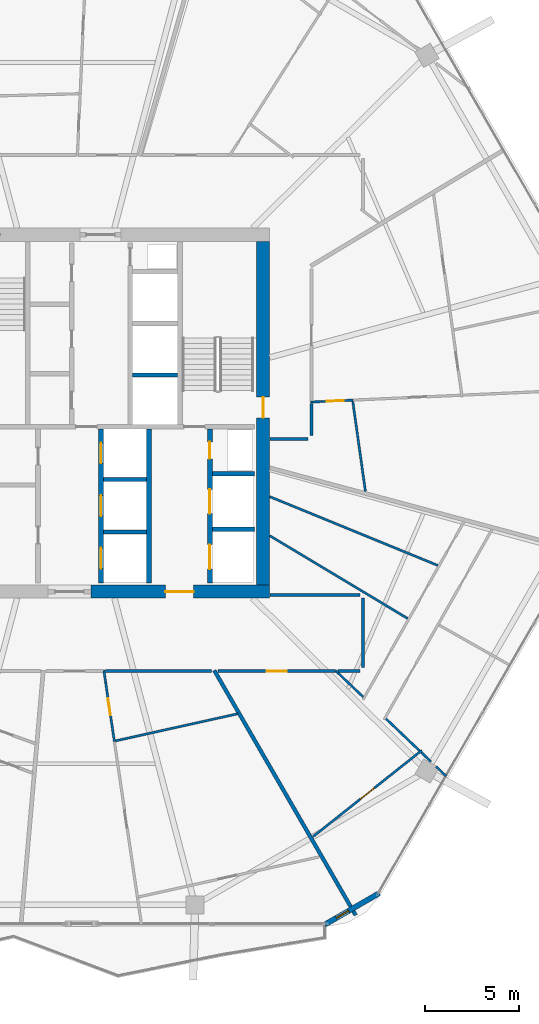
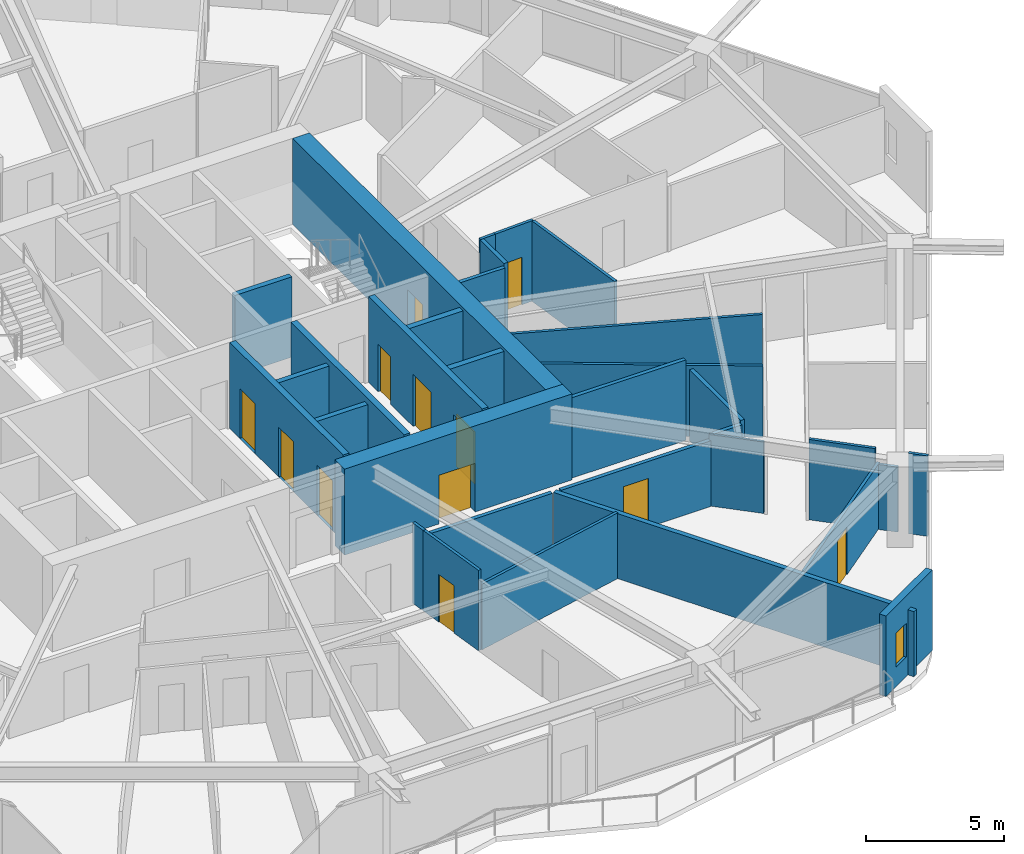
# One storey, part 20 of 25: 32 walls, 12 doors, 1 window, 13 openings.
"""IFC4 building model written with IfcOpenShell, lengths in metres."""

from ifc_helpers import new_model, si_unit, direction, frame, frame_2d, origin, place, context, subcontext, project, spatial, rectangle, extrude, material, layer, layer_set, type_object, element, fill, save


model = new_model("IFC4")

# Units and contexts
model_context = context("Model", 3, precision=1e-05, world=origin(), true_north=direction((0.0, 1.0)))
body_context = subcontext(model_context, "Body", "Model", "MODEL_VIEW")
ifc_project = project(units=[si_unit("LENGTHUNIT", "METRE"), si_unit("AREAUNIT", "SQUARE_METRE"), si_unit("VOLUMEUNIT", "CUBIC_METRE"), si_unit("PLANEANGLEUNIT", "RADIAN"), si_unit("MASSUNIT", "GRAM", prefix="KILO")], contexts=[model_context])

# Site, building, storey
site_placement = place(None, origin())
site = spatial("IfcSite", under=ifc_project, at=site_placement, CompositionType="ELEMENT")
building_placement = place(site_placement, origin())
building = spatial("IfcBuilding", under=site, at=building_placement, Name="Zuhravey Tower", CompositionType="ELEMENT")
storey_placement = place(building_placement, frame((0.0, 0.0, 196.0)))
storey = spatial("IfcBuildingStorey", under=building, at=storey_placement, Name="L49", CompositionType="ELEMENT", Elevation=196.0)

# Wall, opening, door
ifc_material_1 = material(Name="Concrete C60/75", Category="concrete")
ifc_layer_1 = layer(ifc_material_1, 0.699951171875)
ifc_layer_set_1 = layer_set([ifc_layer_1], Name="Concrete C60/75")
wall_type_1 = type_object("IfcWallType", Name="Core Shear Wall 700", PredefinedType="SHEAR", material=ifc_layer_set_1)
wall_1_placement = place(storey_placement, frame((37.35009765625, 22.5, 0.0), z_axis=(0.0, 0.0, 1.0), x_axis=(1.0, 0.0, 0.0)))
wall_1 = element("IfcWall", 1, at=wall_1_placement, inside=storey, type_object=wall_type_1, Name="L49 South-East Core Shear Wall CW70", PredefinedType="SHEAR", context=body_context, shape_type="SweptSolid", body=[
    extrude(rectangle(XDim=9.5, YDim=0.699951171875, at=frame_2d((4.75, 0.0))), origin(), (0.0, 0.0, 1.0), 3.800048828125),
])
opening_1_placement = place(wall_1_placement, frame((3.949951171875, 0.0, 0.0)))
opening_1 = element("IfcOpeningElement", 2, at=opening_1_placement, cuts=wall_1, Name="Opening FFD1", PredefinedType="OPENING", context=body_context, shape_type="SweptSolid", body=[
    extrude(rectangle(XDim=1.5, YDim=2.14990234375, at=frame_2d((0.75, 1.074951171875))), frame((0.0, 0.362060546875, 0.0), z_axis=(0.0, -1.0, 0.0), x_axis=(1.0, 0.0, 0.0)), (0.0, 0.0, 1.0), 0.723876953125),
])
ifc_material_2 = material(Name="Galvanised fire-rated steel leaf", Category="steel")
door_type_1 = type_object("IfcDoorType", Name="Firefighting Lobby Double Door 1500x2150", OperationType="DOUBLE_DOOR_SINGLE_SWING", PredefinedType="DOOR", material=ifc_material_2)
door_1_placement = place(opening_1_placement, origin())
door_1 = element("IfcDoor", 3, at=door_1_placement, inside=storey, type_object=door_type_1, Name="L49 Firefighting Lobby East Door", OperationType="DOUBLE_DOOR_SINGLE_SWING", OverallHeight=2.14990234375, OverallWidth=1.5, PredefinedType="DOOR", context=body_context, shape_type="SweptSolid", body=[
    extrude(rectangle(XDim=1.5, YDim=2.14990234375, at=frame_2d((0.75, 1.074951171875))), frame((0.0, 0.02490234375, 0.0), z_axis=(0.0, -1.0, 0.0), x_axis=(1.0, 0.0, 0.0)), (0.0, 0.0, 1.0), 0.050048828125),
])
fill(opening_1, door_1)

wall_2_placement = place(storey_placement, frame((46.5, 22.85009765625, 0.0), z_axis=(0.0, 0.0, 1.0), x_axis=(0.0, 1.0, 0.0)))
wall_2 = element("IfcWall", 4, at=wall_2_placement, inside=storey, type_object=wall_type_1, Name="L49 East Core Shear Wall CW70", PredefinedType="SHEAR", context=body_context, shape_type="SweptSolid", body=[
    extrude(rectangle(XDim=18.2998046875, YDim=0.699951171875, at=frame_2d((9.14990234375, 0.0))), origin(), (0.0, 0.0, 1.0), 3.800048828125),
])
opening_2_placement = place(wall_2_placement, frame((8.89990234375, 0.0, 0.0)))
opening_2 = element("IfcOpeningElement", 5, at=opening_2_placement, cuts=wall_2, Name="Opening STD1", PredefinedType="OPENING", context=body_context, shape_type="SweptSolid", body=[
    extrude(rectangle(XDim=1.10009765625, YDim=2.14990234375, at=frame_2d((0.550048828125, 1.074951171875))), frame((0.0, 0.362060546875, 0.0), z_axis=(0.0, -1.0, 0.0), x_axis=(1.0, 0.0, 0.0)), (0.0, 0.0, 1.0), 0.723876953125),
])
door_type_2 = type_object("IfcDoorType", Name="Protected Stair Fire Door 1100x2150", OperationType="NOTDEFINED", PredefinedType="USERDEFINED", material=ifc_material_2)
door_2_placement = place(opening_2_placement, origin())
door_2 = element("IfcDoor", 6, at=door_2_placement, inside=storey, type_object=door_type_2, Name="L49 Stair ST2 Door", ObjectType="EXITDOOR", OperationType="SINGLE_SWING_LEFT", OverallHeight=2.14990234375, OverallWidth=1.10009765625, PredefinedType="USERDEFINED", context=body_context, shape_type="SweptSolid", body=[
    extrude(rectangle(XDim=1.10009765625, YDim=2.14990234375, at=frame_2d((0.550048828125, 1.074951171875))), frame((0.0, 0.02490234375, 0.0), z_axis=(0.0, -1.0, 0.0), x_axis=(1.0, 0.0, 0.0)), (0.0, 0.0, 1.0), 0.050048828125),
])
fill(opening_2, door_2)

ifc_material_3 = material(Name="Gypsum fire-rated stud partition")
ifc_layer_2 = layer(ifc_material_3, 0.159912109375)
ifc_layer_set_2 = layer_set([ifc_layer_2], Name="Gypsum fire-rated stud partition")
wall_type_2 = type_object("IfcWallType", Name="Corridor Fire Partition 160", PredefinedType="PARTITIONING", material=ifc_layer_set_2)
wall_3_placement = place(storey_placement, frame((44.11083984375, 18.27001953125, 0.0), z_axis=(0.0, 0.0, 1.0), x_axis=(1.0, 0.0, 0.0)))
wall_3 = element("IfcWall", 7, at=wall_3_placement, inside=storey, type_object=wall_type_2, Name="L49 IW16 Partition 050", PredefinedType="PARTITIONING", context=body_context, shape_type="SweptSolid", body=[
    extrude(rectangle(XDim=6.248046875, YDim=0.159912109375, at=frame_2d((3.1240234375, 0.0))), origin(), (0.0, 0.0, 1.0), 2.89990234375),
])
opening_3_placement = place(wall_3_placement, frame((2.59912109375, 0.0, 0.0)))
opening_3 = element("IfcOpeningElement", 8, at=opening_3_placement, cuts=wall_3, Name="Opening APD1", PredefinedType="OPENING", context=body_context, shape_type="SweptSolid", body=[
    extrude(rectangle(XDim=1.050048828125, YDim=2.14990234375, at=frame_2d((0.52490234375, 1.074951171875))), frame((0.0, 0.092041015625, 0.0), z_axis=(0.0, -1.0, 0.0), x_axis=(1.0, 0.0, 0.0)), (0.0, 0.0, 1.0), 0.183837890625),
])
ifc_material_4 = material(Name="Solid-core oak fire-rated leaf")
door_type_3 = type_object("IfcDoorType", Name="Apartment Entrance Fire Door 1050x2150", OperationType="NOTDEFINED", PredefinedType="DOOR", material=ifc_material_4)
door_3_placement = place(opening_3_placement, frame((1.050048828125, 0.0, 0.0), z_axis=(0.0, 0.0, 1.0), x_axis=(-1.0, 0.0, 0.0)))
door_3 = element("IfcDoor", 9, at=door_3_placement, inside=storey, type_object=door_type_3, Name="L49 Door 050.1", OperationType="SINGLE_SWING_RIGHT", OverallHeight=2.14990234375, OverallWidth=1.050048828125, PredefinedType="DOOR", context=body_context, shape_type="SweptSolid", body=[
    extrude(rectangle(XDim=1.050048828125, YDim=2.14990234375, at=frame_2d((0.52490234375, 1.074951171875))), frame((0.0, 0.02490234375, 0.0), z_axis=(0.0, -1.0, 0.0), x_axis=(1.0, 0.0, 0.0)), (0.0, 0.0, 1.0), 0.050048828125),
])
fill(opening_3, door_3)

# Walls
wall_4_placement = place(storey_placement, frame((38.10107421875, 18.27001953125, 0.0), z_axis=(0.0, 0.0, 1.0), x_axis=(1.0, 0.0, 0.0)))
element("IfcWall", 10, at=wall_4_placement, inside=storey, type_object=wall_type_2, Name="L49 IW16 Partition 134", PredefinedType="PARTITIONING", context=body_context, shape_type="SweptSolid", body=[
    extrude(rectangle(XDim=5.64404296875, YDim=0.159912109375, at=frame_2d((2.822021484375, 0.0))), origin(), (0.0, 0.0, 1.0), 2.89990234375),
])
wall_5_placement = place(storey_placement, frame((51.64990234375, 22.330078125, 0.0), z_axis=(0.0, 0.0, 1.0), x_axis=(-1.0, 0.0, 0.0)))
element("IfcWall", 11, at=wall_5_placement, inside=storey, type_object=wall_type_2, Name="L49 IW16 Partition 135", PredefinedType="PARTITIONING", context=body_context, shape_type="SweptSolid", body=[
    extrude(rectangle(XDim=4.77978515625, YDim=0.159912109375, at=frame_2d((2.389892578125, 0.0))), origin(), (0.0, 0.0, 1.0), 3.550048828125),
])
wall_6_placement = place(storey_placement, frame((51.830078125, 18.449951171875, 0.0), z_axis=(0.0, 0.0, 1.0), x_axis=(0.0, 1.0, 0.0)))
element("IfcWall", 12, at=wall_6_placement, inside=storey, type_object=wall_type_2, Name="L49 IW16 Partition 136", PredefinedType="PARTITIONING", context=body_context, shape_type="SweptSolid", body=[
    extrude(rectangle(XDim=3.699951171875, YDim=0.159912109375, at=frame_2d((1.85009765625, 0.0))), origin(), (0.0, 0.0, 1.0), 3.14990234375),
])
wall_7_placement = place(storey_placement, frame((50.486083984375, 18.27001953125, 0.0), z_axis=(0.0, 0.0, 1.0), x_axis=(1.0, 0.0, 0.0)))
element("IfcWall", 13, at=wall_7_placement, inside=storey, type_object=wall_type_2, Name="L49 IW16 Partition 137", PredefinedType="PARTITIONING", context=body_context, shape_type="SweptSolid", body=[
    extrude(rectangle(XDim=1.163818359375, YDim=0.159912109375, at=frame_2d((0.58203125, 0.0))), origin(), (0.0, 0.0, 1.0), 3.14990234375),
])
wall_8_placement = place(storey_placement, frame((46.8701171875, 30.6201171875, 0.0), z_axis=(0.0, 0.0, 1.0), x_axis=(1.0, 0.0, 0.0)))
element("IfcWall", 14, at=wall_8_placement, inside=storey, type_object=wall_type_2, Name="L49 IW16 Partition 138", PredefinedType="PARTITIONING", context=body_context, shape_type="SweptSolid", body=[
    extrude(rectangle(XDim=2.02978515625, YDim=0.159912109375, at=frame_2d((1.014892578125, 0.0))), origin(), (0.0, 0.0, 1.0), 3.550048828125),
])
wall_9_placement = place(storey_placement, frame((49.080078125, 30.800048828125, 0.0), z_axis=(0.0, 0.0, 1.0), x_axis=(0.0, 1.0, 0.0)))
element("IfcWall", 15, at=wall_9_placement, inside=storey, type_object=wall_type_2, Name="L49 IW16 Partition 139", PredefinedType="PARTITIONING", context=body_context, shape_type="SweptSolid", body=[
    extrude(rectangle(XDim=1.725830078125, YDim=0.159912109375, at=frame_2d((0.86279296875, 0.0))), origin(), (0.0, 0.0, 1.0), 3.550048828125),
])

# Wall, opening, window
ifc_material_5 = material(Name="Precast concrete C40/50", Category="concrete")
ifc_layer_3 = layer(ifc_material_5, 0.280029296875)
ifc_layer_set_3 = layer_set([ifc_layer_3], Name="Precast concrete C40/50")
wall_type_3 = type_object("IfcWallType", Name="Crown Architectural Wall 280", PredefinedType="SOLIDWALL", material=ifc_layer_set_3)
wall_10_placement = place(storey_placement, frame((52.693115234375, 6.451904296875, 0.0), z_axis=(0.0, 0.0, 1.0), x_axis=(-0.866020068361, -0.500009241111, 0.0)))
wall_10 = element("IfcWall", 16, at=wall_10_placement, inside=storey, type_object=wall_type_3, Name="L49 Rounded Corner Closure Wall EW28-02", PredefinedType="SOLIDWALL", context=body_context, shape_type="SweptSolid", body=[
    extrude(rectangle(XDim=3.365234375, YDim=0.280029296875, at=frame_2d((1.6826171875, 0.0))), origin(), (0.0, 0.0, 1.0), 3.550048828125),
])
opening_4_placement = place(wall_10_placement, frame((1.896240234375, 0.0, 0.85009765625)))
opening_4 = element("IfcOpeningElement", 17, at=opening_4_placement, cuts=wall_10, Name="Opening WN5", PredefinedType="OPENING", context=body_context, shape_type="SweptSolid", body=[
    extrude(rectangle(XDim=0.75, YDim=1.5, at=frame_2d((0.375, 0.75))), frame((0.0, 0.152099609375, 0.0), z_axis=(0.0, -1.0, 0.0), x_axis=(1.0, 0.0, 0.0)), (0.0, 0.0, 1.0), 0.303955078125),
])
ifc_material_6 = material(Name="Thermally broken aluminium and triple low-E glass", Category="aluminium")
window_type = type_object("IfcWindowType", Name="Residential Corner Casement Window 750x1500", PartitioningType="SINGLE_PANEL", PredefinedType="WINDOW", material=ifc_material_6)
window_placement = place(opening_4_placement, origin())
window = element("IfcWindow", 18, at=window_placement, inside=storey, type_object=window_type, Name="L49 Corner Casement Window WN5-02.1", OverallHeight=1.5, OverallWidth=0.75, PartitioningType="SINGLE_PANEL", PredefinedType="WINDOW", context=body_context, shape_type="SweptSolid", body=[
    extrude(rectangle(XDim=0.75, YDim=1.5, at=frame_2d((0.375, 0.75))), frame((0.0, 0.030029296875, 0.0), z_axis=(0.0, -1.0, 0.0), x_axis=(1.0, 0.0, 0.0)), (0.0, 0.0, 1.0), 0.06005859375),
])
fill(opening_4, window)

# Wall, openings, doors
ifc_material_7 = material(Name="Concrete C50/60", Category="concrete")
ifc_layer_4 = layer(ifc_material_7, 0.25)
ifc_layer_set_4 = layer_set([ifc_layer_4], Name="Concrete C50/60")
wall_type_4 = type_object("IfcWallType", Name="Firefighting Shaft & Stair Wall 250", PredefinedType="SOLIDWALL", material=ifc_layer_set_4)
wall_11_placement = place(storey_placement, frame((37.875, 22.949951171875, 0.0), z_axis=(0.0, 0.0, 1.0), x_axis=(0.0, 1.0, 0.0)))
wall_11 = element("IfcWall", 19, at=wall_11_placement, inside=storey, type_object=wall_type_4, Name="L49 FW25 Shaft Wall 014", PredefinedType="SOLIDWALL", context=body_context, shape_type="SweptSolid", body=[
    extrude(rectangle(XDim=8.199951171875, YDim=0.25, at=frame_2d((4.10009765625, 0.0))), origin(), (0.0, 0.0, 1.0), 3.800048828125),
])
opening_5_placement = place(wall_11_placement, frame((0.77490234375, 0.0, 0.0)))
opening_5 = element("IfcOpeningElement", 20, at=opening_5_placement, cuts=wall_11, Name="Opening LD1", PredefinedType="OPENING", context=body_context, shape_type="SweptSolid", body=[
    extrude(rectangle(XDim=1.10009765625, YDim=2.199951171875, at=frame_2d((0.550048828125, 1.10009765625))), frame((0.0, 0.136962890625, 0.0), z_axis=(0.0, -1.0, 0.0), x_axis=(1.0, 0.0, 0.0)), (0.0, 0.0, 1.0), 0.27392578125),
])
opening_6_placement = place(wall_11_placement, frame((3.574951171875, 0.0, 0.0)))
opening_6 = element("IfcOpeningElement", 21, at=opening_6_placement, cuts=wall_11, Name="Opening LD1", PredefinedType="OPENING", context=body_context, shape_type="SweptSolid", body=[
    extrude(rectangle(XDim=1.10009765625, YDim=2.199951171875, at=frame_2d((0.550048828125, 1.10009765625))), frame((0.0, 0.136962890625, 0.0), z_axis=(0.0, -1.0, 0.0), x_axis=(1.0, 0.0, 0.0)), (0.0, 0.0, 1.0), 0.27392578125),
])
opening_7_placement = place(wall_11_placement, frame((6.375, 0.0, 0.0)))
opening_7 = element("IfcOpeningElement", 22, at=opening_7_placement, cuts=wall_11, Name="Opening LD1", PredefinedType="OPENING", context=body_context, shape_type="SweptSolid", body=[
    extrude(rectangle(XDim=1.10009765625, YDim=2.199951171875, at=frame_2d((0.550048828125, 1.10009765625))), frame((0.0, 0.136962890625, 0.0), z_axis=(0.0, -1.0, 0.0), x_axis=(1.0, 0.0, 0.0)), (0.0, 0.0, 1.0), 0.27392578125),
])
ifc_material_8 = material(Name="Brushed stainless steel", Category="steel")
door_type_4 = type_object("IfcDoorType", Name="Lift Landing Sliding Door 1100x2200", OperationType="DOUBLE_DOOR_SLIDING", PredefinedType="DOOR", material=ifc_material_8)
door_4_placement = place(opening_5_placement, origin())
door_4 = element("IfcDoor", 23, at=door_4_placement, inside=storey, type_object=door_type_4, Name="L49 Lift PL4 Landing Door", OperationType="DOUBLE_DOOR_SLIDING", OverallHeight=2.199951171875, OverallWidth=1.10009765625, PredefinedType="DOOR", context=body_context, shape_type="SweptSolid", body=[
    extrude(rectangle(XDim=1.10009765625, YDim=2.199951171875, at=frame_2d((0.550048828125, 1.10009765625))), frame((0.0, 0.02490234375, 0.0), z_axis=(0.0, -1.0, 0.0), x_axis=(1.0, 0.0, 0.0)), (0.0, 0.0, 1.0), 0.050048828125),
])
fill(opening_5, door_4)
door_5_placement = place(opening_6_placement, origin())
door_5 = element("IfcDoor", 24, at=door_5_placement, inside=storey, type_object=door_type_4, Name="L49 Lift PL5 Landing Door", OperationType="DOUBLE_DOOR_SLIDING", OverallHeight=2.199951171875, OverallWidth=1.10009765625, PredefinedType="DOOR", context=body_context, shape_type="SweptSolid", body=[
    extrude(rectangle(XDim=1.10009765625, YDim=2.199951171875, at=frame_2d((0.550048828125, 1.10009765625))), frame((0.0, 0.02490234375, 0.0), z_axis=(0.0, -1.0, 0.0), x_axis=(1.0, 0.0, 0.0)), (0.0, 0.0, 1.0), 0.050048828125),
])
fill(opening_6, door_5)
door_6_placement = place(opening_7_placement, origin())
door_6 = element("IfcDoor", 25, at=door_6_placement, inside=storey, type_object=door_type_4, Name="L49 Lift PL6 Landing Door", OperationType="DOUBLE_DOOR_SLIDING", OverallHeight=2.199951171875, OverallWidth=1.10009765625, PredefinedType="DOOR", context=body_context, shape_type="SweptSolid", body=[
    extrude(rectangle(XDim=1.10009765625, YDim=2.199951171875, at=frame_2d((0.550048828125, 1.10009765625))), frame((0.0, 0.02490234375, 0.0), z_axis=(0.0, -1.0, 0.0), x_axis=(1.0, 0.0, 0.0)), (0.0, 0.0, 1.0), 0.050048828125),
])
fill(opening_7, door_6)

# Walls
wall_12_placement = place(storey_placement, frame((40.425048828125, 22.949951171875, 0.0), z_axis=(0.0, 0.0, 1.0), x_axis=(0.0, 1.0, 0.0)))
element("IfcWall", 26, at=wall_12_placement, inside=storey, type_object=wall_type_4, Name="L49 FW25 Shaft Wall 015", PredefinedType="SOLIDWALL", context=body_context, shape_type="SweptSolid", body=[
    extrude(rectangle(XDim=8.199951171875, YDim=0.25, at=frame_2d((4.10009765625, 0.0))), origin(), (0.0, 0.0, 1.0), 3.800048828125),
])
for number, where, z_axis, x_axis, name in (
    (27, (43.800048828125, 25.824951171875, 0.0), (0.0, 0.0, 1.0), (1.0, 0.0, 0.0), "L49 FW25 Shaft Wall 016"),
    (28, (43.800048828125, 28.77490234375, 0.0), (0.0, 0.0, 1.0), (1.0, 0.0, 0.0), "L49 FW25 Shaft Wall 017"),
):
    element("IfcWall", number, at=place(storey_placement, frame(where, z_axis=z_axis, x_axis=x_axis)), inside=storey, type_object=wall_type_4, Name=name, PredefinedType="SOLIDWALL", context=body_context, shape_type="SweptSolid", body=[
        extrude(rectangle(XDim=2.25, YDim=0.25, at=frame_2d((1.125, 0.0))), origin(), (0.0, 0.0, 1.0), 3.800048828125),
    ])

# Wall, openings, doors
wall_13_placement = place(storey_placement, frame((43.675048828125, 22.949951171875, 0.0), z_axis=(0.0, 0.0, 1.0), x_axis=(0.0, 1.0, 0.0)))
wall_13 = element("IfcWall", 29, at=wall_13_placement, inside=storey, type_object=wall_type_4, Name="L49 FW25 Shaft Wall 018", PredefinedType="SOLIDWALL", context=body_context, shape_type="SweptSolid", body=[
    extrude(rectangle(XDim=8.199951171875, YDim=0.25, at=frame_2d((4.10009765625, 0.0))), origin(), (0.0, 0.0, 1.0), 3.800048828125),
])
opening_8_placement = place(wall_13_placement, frame((0.75, 0.0, 0.0)))
opening_8 = element("IfcOpeningElement", 30, at=opening_8_placement, cuts=wall_13, Name="Opening LD2", PredefinedType="OPENING", context=body_context, shape_type="SweptSolid", body=[
    extrude(rectangle(XDim=1.300048828125, YDim=2.300048828125, at=frame_2d((0.64990234375, 1.14990234375))), frame((0.0, 0.136962890625, 0.0), z_axis=(0.0, -1.0, 0.0), x_axis=(1.0, 0.0, 0.0)), (0.0, 0.0, 1.0), 0.27392578125),
])
opening_9_placement = place(wall_13_placement, frame((3.699951171875, 0.0, 0.0)))
opening_9 = element("IfcOpeningElement", 31, at=opening_9_placement, cuts=wall_13, Name="Opening LD2", PredefinedType="OPENING", context=body_context, shape_type="SweptSolid", body=[
    extrude(rectangle(XDim=1.300048828125, YDim=2.300048828125, at=frame_2d((0.64990234375, 1.14990234375))), frame((0.0, 0.136962890625, 0.0), z_axis=(0.0, -1.0, 0.0), x_axis=(1.0, 0.0, 0.0)), (0.0, 0.0, 1.0), 0.27392578125),
])
opening_10_placement = place(wall_13_placement, frame((6.6201171875, 0.0, 0.0)))
opening_10 = element("IfcOpeningElement", 32, at=opening_10_placement, cuts=wall_13, Name="Opening RSD1", PredefinedType="OPENING", context=body_context, shape_type="SweptSolid", body=[
    extrude(rectangle(XDim=0.89990234375, YDim=2.10009765625, at=frame_2d((0.449951171875, 1.050048828125))), frame((0.0, 0.136962890625, 0.0), z_axis=(0.0, -1.0, 0.0), x_axis=(1.0, 0.0, 0.0)), (0.0, 0.0, 1.0), 0.27392578125),
])
door_type_5 = type_object("IfcDoorType", Name="Freight & Stretcher Lift Sliding Door 1300x2300", OperationType="DOUBLE_DOOR_SLIDING", PredefinedType="DOOR", material=ifc_material_8)
door_7_placement = place(opening_8_placement, origin())
door_7 = element("IfcDoor", 33, at=door_7_placement, inside=storey, type_object=door_type_5, Name="L49 Lift FF2 Landing Door", OperationType="DOUBLE_DOOR_SLIDING", OverallHeight=2.300048828125, OverallWidth=1.300048828125, PredefinedType="DOOR", context=body_context, shape_type="SweptSolid", body=[
    extrude(rectangle(XDim=1.300048828125, YDim=2.300048828125, at=frame_2d((0.64990234375, 1.14990234375))), frame((0.0, 0.02490234375, 0.0), z_axis=(0.0, -1.0, 0.0), x_axis=(1.0, 0.0, 0.0)), (0.0, 0.0, 1.0), 0.050048828125),
])
fill(opening_8, door_7)
door_8_placement = place(opening_9_placement, origin())
door_8 = element("IfcDoor", 34, at=door_8_placement, inside=storey, type_object=door_type_5, Name="L49 Lift SV1 Landing Door", OperationType="DOUBLE_DOOR_SLIDING", OverallHeight=2.300048828125, OverallWidth=1.300048828125, PredefinedType="DOOR", context=body_context, shape_type="SweptSolid", body=[
    extrude(rectangle(XDim=1.300048828125, YDim=2.300048828125, at=frame_2d((0.64990234375, 1.14990234375))), frame((0.0, 0.02490234375, 0.0), z_axis=(0.0, -1.0, 0.0), x_axis=(1.0, 0.0, 0.0)), (0.0, 0.0, 1.0), 0.050048828125),
])
fill(opening_9, door_8)
ifc_material_9 = material(Name="Galvanised fire-rated steel access leaf", Category="steel")
door_type_6 = type_object("IfcDoorType", Name="Riser & Shaft Access Fire Door 900x2100", OperationType="NOTDEFINED", PredefinedType="DOOR", material=ifc_material_9)
door_9_placement = place(opening_10_placement, origin())
door_9 = element("IfcDoor", 35, at=door_9_placement, inside=storey, type_object=door_type_6, Name="L49 Plumbing Riser Door", OperationType="SINGLE_SWING_RIGHT", OverallHeight=2.10009765625, OverallWidth=0.89990234375, PredefinedType="DOOR", context=body_context, shape_type="SweptSolid", body=[
    extrude(rectangle(XDim=0.89990234375, YDim=2.10009765625, at=frame_2d((0.449951171875, 1.050048828125))), frame((0.0, 0.02490234375, 0.0), z_axis=(0.0, -1.0, 0.0), x_axis=(1.0, 0.0, 0.0)), (0.0, 0.0, 1.0), 0.050048828125),
])
fill(opening_10, door_9)

# Walls
ifc_material_10 = material(Name="Gypsum double-stud party assembly")
ifc_layer_5 = layer(ifc_material_10, 0.199951171875)
ifc_layer_set_5 = layer_set([ifc_layer_5], Name="Gypsum double-stud party assembly")
wall_type_5 = type_object("IfcWallType", Name="Inter-Tenancy Party Wall 200", PredefinedType="PARTITIONING", material=ifc_layer_set_5)
wall_14_placement = place(storey_placement, frame((43.90380859375, 18.31005859375, 0.0), z_axis=(0.0, 0.0, 1.0), x_axis=(0.500007038605, -0.866021340006, 0.0)))
element("IfcWall", 36, at=wall_14_placement, inside=storey, type_object=wall_type_5, Name="L49 IW20 Partition 105", PredefinedType="PARTITIONING", context=body_context, shape_type="SweptSolid", body=[
    extrude(rectangle(XDim=15.050048828125, YDim=0.199951171875, at=frame_2d((7.52490234375, 0.0))), origin(), (0.0, 0.0, 1.0), 2.8701171875),
])
ifc_material_11 = material(Name="Gypsum acoustic stud assembly")
ifc_layer_6 = layer(ifc_material_11, 0.219970703125)
ifc_layer_set_6 = layer_set([ifc_layer_6], Name="Gypsum acoustic stud assembly")
wall_type_6 = type_object("IfcWallType", Name="School Acoustic Compartment Wall 220", PredefinedType="PARTITIONING", material=ifc_layer_set_6)
wall_15_placement = place(storey_placement, frame((39.55810546875, 34.02490234375, 0.0), z_axis=(0.0, 0.0, 1.0), x_axis=(1.0, 0.0, 0.0)))
element("IfcWall", 37, at=wall_15_placement, inside=storey, type_object=wall_type_6, Name="L49 IW22 Partition 059", PredefinedType="PARTITIONING", context=body_context, shape_type="SweptSolid", body=[
    extrude(rectangle(XDim=2.3837890625, YDim=0.219970703125, at=frame_2d((1.19189453125, 0.0))), origin(), (0.0, 0.0, 1.0), 3.550048828125),
])
for number, where, z_axis, x_axis, name in (
    (38, (38.008056640625, 25.675048828125, 0.0), (0.0, 0.0, 1.0), (1.0, 0.0, 0.0), "L49 IW22 Partition 063"),
    (39, (38.008056640625, 28.47509765625, 0.0), (0.0, 0.0, 1.0), (1.0, 0.0, 0.0), "L49 IW22 Partition 064"),
):
    element("IfcWall", number, at=place(storey_placement, frame(where, z_axis=z_axis, x_axis=x_axis)), inside=storey, type_object=wall_type_6, Name=name, PredefinedType="PARTITIONING", context=body_context, shape_type="SweptSolid", body=[
        extrude(rectangle(XDim=2.283935546875, YDim=0.219970703125, at=frame_2d((1.14208984375, 0.0))), origin(), (0.0, 0.0, 1.0), 3.550048828125),
    ])

# Wall, opening, door
ifc_material_12 = material(Name="Gypsum metal-stud partition")
ifc_layer_7 = layer(ifc_material_12, 0.1201171875)
ifc_layer_set_7 = layer_set([ifc_layer_7], Name="Gypsum metal-stud partition")
wall_type_7 = type_object("IfcWallType", Name="Unit Internal Partition 120", PredefinedType="PARTITIONING", material=ifc_layer_set_7)
wall_16_placement = place(storey_placement, frame((38.11669921875, 17.699951171875, 0.0), z_axis=(0.0, 0.0, 1.0), x_axis=(0.146444162785, -0.989218937944, 0.0)))
wall_16 = element("IfcWall", 40, at=wall_16_placement, inside=storey, type_object=wall_type_7, Name="L49 IW12 Partition 043", PredefinedType="PARTITIONING", context=body_context, shape_type="SweptSolid", body=[
    extrude(rectangle(XDim=3.217529296875, YDim=0.1201171875, at=frame_2d((1.60888671875, 0.0))), origin(), (0.0, 0.0, 1.0), 3.550048828125),
])
opening_11_placement = place(wall_16_placement, frame((0.9013671875, 0.0, 0.0)))
opening_11 = element("IfcOpeningElement", 41, at=opening_11_placement, cuts=wall_16, Name="Opening WCD1", PredefinedType="OPENING", context=body_context, shape_type="SweptSolid", body=[
    extrude(rectangle(XDim=0.89990234375, YDim=2.10009765625, at=frame_2d((0.449951171875, 1.050048828125))), frame((0.0, 0.072021484375, 0.0), z_axis=(0.0, -1.0, 0.0), x_axis=(1.0, 0.0, 0.0)), (0.0, 0.0, 1.0), 0.14404296875),
])
ifc_material_13 = material(Name="Moisture-resistant timber leaf", Category="wood")
door_type_7 = type_object("IfcDoorType", Name="Bathroom & WC Internal Door 900x2100", OperationType="NOTDEFINED", PredefinedType="DOOR", material=ifc_material_13)
door_10_placement = place(opening_11_placement, origin())
door_10 = element("IfcDoor", 42, at=door_10_placement, inside=storey, type_object=door_type_7, Name="Apartment L49-07 Bathroom Door", OperationType="SINGLE_SWING_RIGHT", OverallHeight=2.10009765625, OverallWidth=0.89990234375, PredefinedType="DOOR", context=body_context, shape_type="SweptSolid", body=[
    extrude(rectangle(XDim=0.89990234375, YDim=2.10009765625, at=frame_2d((0.449951171875, 1.050048828125))), frame((0.0, 0.02490234375, 0.0), z_axis=(0.0, -1.0, 0.0), x_axis=(1.0, 0.0, 0.0)), (0.0, 0.0, 1.0), 0.050048828125),
])
fill(opening_11, door_10)

wall_17_placement = place(storey_placement, frame((49.162109375, 9.4580078125, 0.0), z_axis=(0.0, 0.0, 1.0), x_axis=(0.783468844614, 0.621431065782, 0.0)))
wall_17 = element("IfcWall", 43, at=wall_17_placement, inside=storey, type_object=wall_type_7, Name="L49 IW12 Partition 047", PredefinedType="PARTITIONING", context=body_context, shape_type="SweptSolid", body=[
    extrude(rectangle(XDim=7.391845703125, YDim=0.1201171875, at=frame_2d((3.69580078125, 0.0))), origin(), (0.0, 0.0, 1.0), 2.8701171875),
])
opening_12_placement = place(wall_17_placement, frame((3.220703125, 0.0, 0.0)))
opening_12 = element("IfcOpeningElement", 44, at=opening_12_placement, cuts=wall_17, Name="Opening IND1", PredefinedType="OPENING", context=body_context, shape_type="SweptSolid", body=[
    extrude(rectangle(XDim=0.949951171875, YDim=2.10009765625, at=frame_2d((0.47509765625, 1.050048828125))), frame((0.0, 0.072021484375, 0.0), z_axis=(0.0, -1.0, 0.0), x_axis=(1.0, 0.0, 0.0)), (0.0, 0.0, 1.0), 0.14404296875),
])
ifc_material_14 = material(Name="Painted engineered timber leaf", Category="wood")
door_type_8 = type_object("IfcDoorType", Name="Internal Room & Bedroom Door 950x2100", OperationType="NOTDEFINED", PredefinedType="DOOR", material=ifc_material_14)
door_11_placement = place(opening_12_placement, frame((0.949951171875, 0.0, 0.0), z_axis=(0.0, 0.0, 1.0), x_axis=(-1.0, 0.0, 0.0)))
door_11 = element("IfcDoor", 45, at=door_11_placement, inside=storey, type_object=door_type_8, Name="Apartment L49-08 Family Study Door", OperationType="SINGLE_SWING_RIGHT", OverallHeight=2.10009765625, OverallWidth=0.949951171875, PredefinedType="DOOR", context=body_context, shape_type="SweptSolid", body=[
    extrude(rectangle(XDim=0.949951171875, YDim=2.10009765625, at=frame_2d((0.47509765625, 1.050048828125))), frame((0.0, 0.02490234375, 0.0), z_axis=(0.0, -1.0, 0.0), x_axis=(1.0, 0.0, 0.0)), (0.0, 0.0, 1.0), 0.050048828125),
])
fill(opening_12, door_11)

wall_18_placement = place(storey_placement, frame((49.64990234375, 32.619873046875, 0.0), z_axis=(0.0, 0.0, 1.0), x_axis=(0.998968234181, 0.045414393056, 0.0)))
wall_18 = element("IfcWall", 46, at=wall_18_placement, inside=storey, type_object=wall_type_7, Name="L49 IW12 Partition 052", PredefinedType="PARTITIONING", context=body_context, shape_type="SweptSolid", body=[
    extrude(rectangle(XDim=1.64501953125, YDim=0.1201171875, at=frame_2d((0.822509765625, 0.0))), origin(), (0.0, 0.0, 1.0), 3.550048828125),
])
opening_13_placement = place(wall_18_placement, frame((0.24072265625, 0.0, 0.0)))
opening_13 = element("IfcOpeningElement", 47, at=opening_13_placement, cuts=wall_18, Name="Opening WCD1", PredefinedType="OPENING", context=body_context, shape_type="SweptSolid", body=[
    extrude(rectangle(XDim=0.89990234375, YDim=2.10009765625, at=frame_2d((0.449951171875, 1.050048828125))), frame((0.0, 0.072021484375, 0.0), z_axis=(0.0, -1.0, 0.0), x_axis=(1.0, 0.0, 0.0)), (0.0, 0.0, 1.0), 0.14404296875),
])
door_12_placement = place(opening_13_placement, frame((0.89990234375, 0.0, 0.0), z_axis=(0.0, 0.0, 1.0), x_axis=(-1.0, 0.0, 0.0)))
door_12 = element("IfcDoor", 48, at=door_12_placement, inside=storey, type_object=door_type_7, Name="Apartment L49-09 Bathroom Door", OperationType="SINGLE_SWING_LEFT", OverallHeight=2.10009765625, OverallWidth=0.89990234375, PredefinedType="DOOR", context=body_context, shape_type="SweptSolid", body=[
    extrude(rectangle(XDim=0.89990234375, YDim=2.10009765625, at=frame_2d((0.449951171875, 1.050048828125))), frame((0.0, 0.02490234375, 0.0), z_axis=(0.0, -1.0, 0.0), x_axis=(1.0, 0.0, 0.0)), (0.0, 0.0, 1.0), 0.050048828125),
])
fill(opening_13, door_12)

# Walls
wall_19_placement = place(storey_placement, frame((38.025634765625, 18.314697265625, 0.0), z_axis=(0.0, 0.0, 1.0), x_axis=(0.146534423424, -0.989205571533, 0.0)))
element("IfcWall", 49, at=wall_19_placement, inside=storey, type_object=wall_type_7, Name="L49 IW12 Partition 102", PredefinedType="PARTITIONING", context=body_context, shape_type="SweptSolid", body=[
    extrude(rectangle(XDim=0.621337890625, YDim=0.1201171875, at=frame_2d((0.310546875, 0.0))), origin(), (0.0, 0.0, 1.0), 3.550048828125),
])
wall_20_placement = place(storey_placement, frame((38.65087890625, 14.556640625, 0.0), z_axis=(0.0, 0.0, 1.0), x_axis=(0.976292815714, 0.21645400894, 0.0)))
element("IfcWall", 50, at=wall_20_placement, inside=storey, type_object=wall_type_7, Name="L49 IW12 Partition 104", PredefinedType="PARTITIONING", context=body_context, shape_type="SweptSolid", body=[
    extrude(rectangle(XDim=6.673828125, YDim=0.1201171875, at=frame_2d((3.3369140625, 0.0))), origin(), (0.0, 0.0, 1.0), 2.89990234375),
])
wall_21_placement = place(storey_placement, frame((46.85791015625, 25.47900390625, 0.0), z_axis=(0.0, 0.0, 1.0), x_axis=(0.857273931948, -0.514860569089, 0.0)))
element("IfcWall", 51, at=wall_21_placement, inside=storey, type_object=wall_type_7, Name="L49 IW12 Partition 106", PredefinedType="PARTITIONING", context=body_context, shape_type="SweptSolid", body=[
    extrude(rectangle(XDim=8.56103515625, YDim=0.1201171875, at=frame_2d((4.280517578125, 0.0))), origin(), (0.0, 0.0, 1.0), 3.14990234375),
])
wall_22_placement = place(storey_placement, frame((46.85791015625, 27.555908203125, 0.0), z_axis=(0.0, 0.0, 1.0), x_axis=(0.925490196585, -0.378771561795, 0.0)))
element("IfcWall", 52, at=wall_22_placement, inside=storey, type_object=wall_type_7, Name="L49 IW12 Partition 107", PredefinedType="PARTITIONING", context=body_context, shape_type="SweptSolid", body=[
    extrude(rectangle(XDim=9.66259765625, YDim=0.1201171875, at=frame_2d((4.831298828125, 0.0))), origin(), (0.0, 0.0, 1.0), 3.14990234375),
])
wall_23_placement = place(storey_placement, frame((50.35888671875, 18.297607421875, 0.0), z_axis=(0.0, 0.0, 1.0), x_axis=(0.723451106681, -0.690375619675, 0.0)))
element("IfcWall", 53, at=wall_23_placement, inside=storey, type_object=wall_type_7, Name="L49 IW12 Partition 109", PredefinedType="PARTITIONING", context=body_context, shape_type="SweptSolid", body=[
    extrude(rectangle(XDim=2.02978515625, YDim=0.1201171875, at=frame_2d((1.014892578125, 0.0))), origin(), (0.0, 0.0, 1.0), 3.14990234375),
])
wall_24_placement = place(storey_placement, frame((53.047607421875, 15.731689453125, 0.0), z_axis=(0.0, 0.0, 1.0), x_axis=(0.723414212857, -0.690414278992, 0.0)))
element("IfcWall", 54, at=wall_24_placement, inside=storey, type_object=wall_type_7, Name="L49 IW12 Partition 110", PredefinedType="PARTITIONING", context=body_context, shape_type="SweptSolid", body=[
    extrude(rectangle(XDim=2.456298828125, YDim=0.1201171875, at=frame_2d((1.22802734375, 0.0))), origin(), (0.0, 0.0, 1.0), 3.550048828125),
])
wall_25_placement = place(storey_placement, frame((54.923828125, 13.941162109375, 0.0), z_axis=(0.0, 0.0, 1.0), x_axis=(0.723503085089, -0.690321146907, 0.0)))
element("IfcWall", 55, at=wall_25_placement, inside=storey, type_object=wall_type_7, Name="L49 IW12 Partition 111", PredefinedType="PARTITIONING", context=body_context, shape_type="SweptSolid", body=[
    extrude(rectangle(XDim=0.713623046875, YDim=0.1201171875, at=frame_2d((0.35693359375, 0.0))), origin(), (0.0, 0.0, 1.0), 2.8701171875),
])
wall_26_placement = place(storey_placement, frame((55.720458984375, 13.180908203125, 0.0), z_axis=(0.0, 0.0, 1.0), x_axis=(0.723584936245, -0.690235351195, 0.0)))
element("IfcWall", 56, at=wall_26_placement, inside=storey, type_object=wall_type_7, Name="L49 IW12 Partition 112", PredefinedType="PARTITIONING", context=body_context, shape_type="SweptSolid", body=[
    extrude(rectangle(XDim=0.724853515625, YDim=0.1201171875, at=frame_2d((0.3623046875, 0.0))), origin(), (0.0, 0.0, 1.0), 3.550048828125),
])
wall_27_placement = place(storey_placement, frame((49.034912109375, 32.591796875, 0.0), z_axis=(0.0, 0.0, 1.0), x_axis=(0.998959526244, 0.045605536133, 0.0)))
element("IfcWall", 57, at=wall_27_placement, inside=storey, type_object=wall_type_7, Name="L49 IW12 Partition 116", PredefinedType="PARTITIONING", context=body_context, shape_type="SweptSolid", body=[
    extrude(rectangle(XDim=0.61572265625, YDim=0.1201171875, at=frame_2d((0.307861328125, 0.0))), origin(), (0.0, 0.0, 1.0), 3.550048828125),
])
wall_28_placement = place(storey_placement, frame((51.950439453125, 27.837890625, 0.0), z_axis=(0.0, 0.0, 1.0), x_axis=(-0.139165856078, 0.990269086916, 0.0)))
element("IfcWall", 58, at=wall_28_placement, inside=storey, type_object=wall_type_7, Name="L49 IW12 Partition 118", PredefinedType="PARTITIONING", context=body_context, shape_type="SweptSolid", body=[
    extrude(rectangle(XDim=4.8349609375, YDim=0.1201171875, at=frame_2d((2.41748046875, 0.0))), origin(), (0.0, 0.0, 1.0), 3.550048828125),
])

save(model, "model.ifc")
